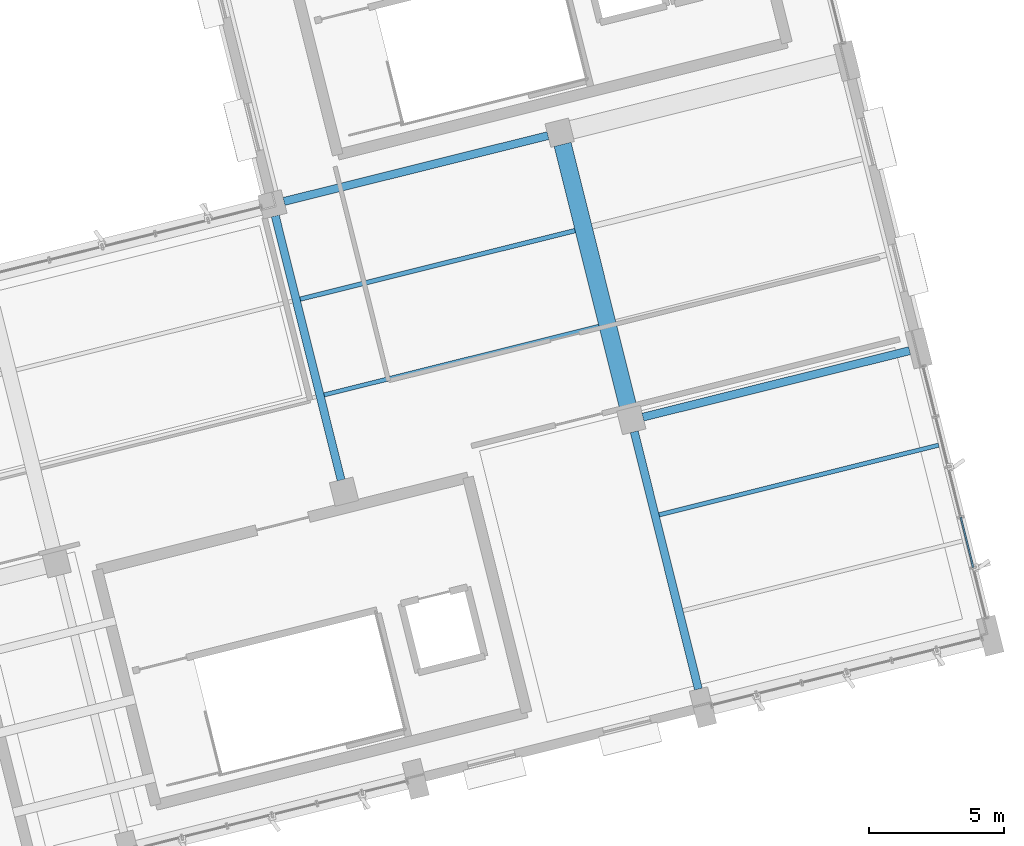
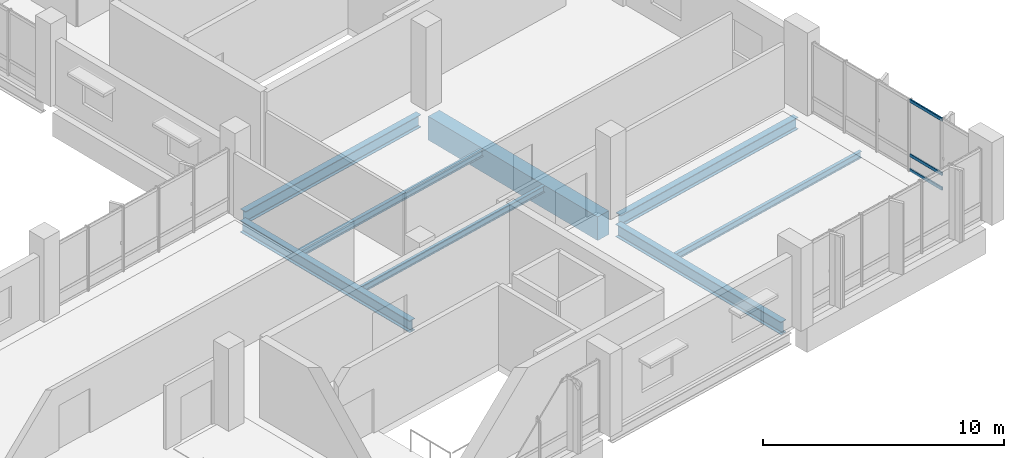
# One storey, part 11 of 22: 8 beams, 3 members, 1 element without a shape of its own.
"""IFC4 building model written with IfcOpenShell, lengths in metres."""

from ifc_helpers import new_model, si_unit, direction, frame, origin, origin_2d, place, context, subcontext, project, spatial, rectangle, hollow_rectangle, i_section, extrude, material, layer, layer_set, material_profile, profile_set, type_object, element, aggregate, save


model = new_model("IFC4")

# Units and contexts
model_context = context("Model", 3, precision=1e-05, world=origin(), true_north=direction((0.0, 1.0)))
body_context = subcontext(model_context, "Body", "Model", "MODEL_VIEW")
ifc_project = project(units=[si_unit("LENGTHUNIT", "METRE"), si_unit("AREAUNIT", "SQUARE_METRE"), si_unit("VOLUMEUNIT", "CUBIC_METRE"), si_unit("PLANEANGLEUNIT", "RADIAN"), si_unit("MASSUNIT", "GRAM", prefix="KILO")], contexts=[model_context])

# Site, building, storey
site_placement = place(None, origin())
site = spatial("IfcSite", under=ifc_project, at=site_placement, CompositionType="ELEMENT")
building_placement = place(site_placement, origin())
building = spatial("IfcBuilding", under=site, at=building_placement, Name="Khorjan Park Terminus", CompositionType="ELEMENT")
storey_placement = place(building_placement, frame((0.0, 0.0, 24.6)))
storey = spatial("IfcBuildingStorey", under=building, at=storey_placement, Name="L05", CompositionType="ELEMENT", Elevation=24.6)

# Beams
ifc_material_1 = material(Name="Steel S355", Category="steel")
ifc_material_profile_1 = material_profile(ifc_material_1, i_section(OverallWidth=0.3, OverallDepth=0.64, WebThickness=0.0135, FlangeThickness=0.026, FilletRadius=0.027, at=origin_2d()), Name="HEA 650")
ifc_profile_set_1 = profile_set([ifc_material_profile_1], Name="Steel S355")
beam_type_1 = type_object("IfcBeamType", Name="BM-HEA650", PredefinedType="BEAM", material=ifc_profile_set_1)
beam_1_placement = place(storey_placement, frame((203.8025, 34.0987, -0.65), z_axis=(0.970294168541, 0.241928143249, 0.0), x_axis=(-0.241928143249, 0.970294168541, 0.0)))
element("IfcBeam", 1, at=beam_1_placement, inside=storey, type_object=beam_type_1, Name="Primary skew-grid floor girder SB-A65 (L05)", PredefinedType="BEAM", context=body_context, shape_type="SweptSolid", body=[
    extrude(i_section(OverallWidth=0.3, OverallDepth=0.64, WebThickness=0.0135, FlangeThickness=0.026, FilletRadius=0.027, at=origin_2d()), origin(), (0.0, 0.0, 1.0), 10.11),
])
beam_2_placement = place(storey_placement, frame((219.1981, 15.9801, -0.65), z_axis=(-0.241917509425, 0.970296819862, 0.0), x_axis=(-0.970296819862, -0.241917509425, 0.0)))
element("IfcBeam", 2, at=beam_2_placement, inside=storey, type_object=beam_type_1, Name="Primary skew-grid floor girder SB-A65 (L05)", PredefinedType="BEAM", context=body_context, shape_type="SweptSolid", body=[
    extrude(i_section(OverallWidth=0.3, OverallDepth=0.64, WebThickness=0.0135, FlangeThickness=0.026, FilletRadius=0.027, at=origin_2d()), origin(), (0.0, 0.0, 1.0), 9.86),
])
ifc_material_profile_2 = material_profile(ifc_material_1, i_section(OverallWidth=0.3, OverallDepth=0.6, WebThickness=0.0155, FlangeThickness=0.03, FilletRadius=0.027, at=origin_2d()), Name="HEB 600")
ifc_profile_set_2 = profile_set([ifc_material_profile_2], Name="Steel S355")
beam_type_2 = type_object("IfcBeamType", Name="BM-HEB600", PredefinedType="BEAM", material=ifc_profile_set_2)
beam_3_placement = place(storey_placement, frame((217.1369, 26.0866, -0.63), z_axis=(0.970296133805, 0.241920261086, 0.0), x_axis=(-0.241920261086, 0.970296133805, 0.0)))
element("IfcBeam", 3, at=beam_3_placement, inside=storey, type_object=beam_type_2, Name="Primary skew-grid floor girder SB-B60 (L05)", PredefinedType="BEAM", context=body_context, shape_type="SweptSolid", body=[
    extrude(i_section(OverallWidth=0.3, OverallDepth=0.6, WebThickness=0.0155, FlangeThickness=0.03, FilletRadius=0.027, at=origin_2d()), origin(), (0.0, 0.0, 1.0), 10.21),
])
beam_4_placement = place(storey_placement, frame((205.9242, 23.7496, -0.63), z_axis=(-0.241918830968, 0.970296490369, 0.0), x_axis=(-0.970296490369, -0.241918830968, 0.0)))
element("IfcBeam", 4, at=beam_4_placement, inside=storey, type_object=beam_type_2, Name="Primary skew-grid floor girder SB-B60 (L05)", PredefinedType="BEAM", context=body_context, shape_type="SweptSolid", body=[
    extrude(i_section(OverallWidth=0.3, OverallDepth=0.6, WebThickness=0.0155, FlangeThickness=0.03, FilletRadius=0.027, at=origin_2d()), origin(), (0.0, 0.0, 1.0), 10.11),
])
ifc_material_2 = material(Name="Concrete C40/50", Category="concrete")
ifc_material_profile_3 = material_profile(ifc_material_2, rectangle(XDim=0.65, YDim=1.2, at=origin_2d()), Name="RC 650x1200")
ifc_profile_set_3 = profile_set([ifc_material_profile_3], Name="Concrete C40/50")
beam_type_3 = type_object("IfcBeamType", Name="BM-RC650x1200", PredefinedType="BEAM", material=ifc_profile_set_3)
beam_5_placement = place(storey_placement, frame((216.5975, 26.4107, -0.93), z_axis=(-0.241928143249, 0.970294168541, 0.0), x_axis=(-0.970294168541, -0.241928143249, 0.0)))
element("IfcBeam", 5, at=beam_5_placement, inside=storey, type_object=beam_type_3, Name="Primary skew-grid floor girder GB-12 (L05)", PredefinedType="BEAM", context=body_context, shape_type="SweptSolid", body=[
    extrude(rectangle(XDim=0.65, YDim=1.2, at=origin_2d()), origin(), (0.0, 0.0, 1.0), 10.11),
])
ifc_material_profile_4 = material_profile(ifc_material_1, i_section(OverallWidth=0.16, OverallDepth=0.33, WebThickness=0.0075, FlangeThickness=0.0115, FilletRadius=0.018, at=origin_2d()), Name="IPE 330")
ifc_profile_set_4 = profile_set([ifc_material_profile_4], Name="Steel S355")
beam_type_4 = type_object("IfcBeamType", Name="JS-IPE330", PredefinedType="JOIST", material=ifc_profile_set_4)
beam_6_placement = place(storey_placement, frame((205.2904, 26.9119, -0.495), z_axis=(0.970296002015, 0.241920789668, 0.0), x_axis=(-0.241920789668, 0.970296002015, 0.0)))
element("IfcBeam", 6, at=beam_6_placement, inside=storey, type_object=beam_type_4, Name="Secondary composite floor joist SJ-33 (L05)", PredefinedType="JOIST", context=body_context, shape_type="SweptSolid", body=[
    extrude(i_section(OverallWidth=0.16, OverallDepth=0.33, WebThickness=0.0075, FlangeThickness=0.0115, FilletRadius=0.018, at=origin_2d()), origin(), (0.0, 0.0, 1.0), 10.5249),
])
beam_7_placement = place(storey_placement, frame((217.7377, 22.4575, -0.495), z_axis=(0.970297331913, 0.241915455651, 0.0), x_axis=(-0.241915455651, 0.970297331913, 0.0)))
element("IfcBeam", 7, at=beam_7_placement, inside=storey, type_object=beam_type_4, Name="Secondary composite floor joist SJ-33 (L05)", PredefinedType="JOIST", context=body_context, shape_type="SweptSolid", body=[
    extrude(i_section(OverallWidth=0.16, OverallDepth=0.33, WebThickness=0.0075, FlangeThickness=0.0115, FilletRadius=0.018, at=origin_2d()), origin(), (0.0, 0.0, 1.0), 10.7),
])
ifc_material_profile_5 = material_profile(ifc_material_1, i_section(OverallWidth=0.17, OverallDepth=0.36, WebThickness=0.008, FlangeThickness=0.0127, FilletRadius=0.018, at=origin_2d()), Name="IPE 360")
ifc_profile_set_5 = profile_set([ifc_material_profile_5], Name="Steel S355")
beam_type_5 = type_object("IfcBeamType", Name="JS-IPE360", PredefinedType="JOIST", material=ifc_profile_set_5)
beam_8_placement = place(storey_placement, frame((204.4033, 30.4696, -0.51), z_axis=(0.970296558074, 0.241918559415, 0.0), x_axis=(-0.241918559415, 0.970296558074, 0.0)))
element("IfcBeam", 8, at=beam_8_placement, inside=storey, type_object=beam_type_5, Name="Secondary composite floor joist SJ-36 (L05)", PredefinedType="JOIST", context=body_context, shape_type="SweptSolid", body=[
    extrude(i_section(OverallWidth=0.17, OverallDepth=0.36, WebThickness=0.008, FlangeThickness=0.0127, FilletRadius=0.018, at=origin_2d()), origin(), (0.0, 0.0, 1.0), 10.525),
])

# Curtain wall, members
ifc_material_3 = material(Name="Anodized Bronze Aluminium", Category="aluminium")
ifc_layer = layer(ifc_material_3, 0.22)
ifc_layer_set = layer_set([ifc_layer], Name="Anodized Bronze Aluminium")
curtain_wall_type = type_object("IfcCurtainWallType", Name="CW-OPS-B", PredefinedType="NOTDEFINED", material=ifc_layer_set)
curtain_wall_placement = place(storey_placement, origin())
curtain_wall = element("IfcCurtainWall", 9, at=curtain_wall_placement, inside=storey, type_object=curtain_wall_type, Name="Unitized curtain wall CW-B (CW-V5-E-L05-B01)", PredefinedType="NOTDEFINED")
ifc_material_profile_6 = material_profile(ifc_material_3, hollow_rectangle(XDim=0.07, YDim=0.16, WallThickness=0.004, InnerFilletRadius=0.004, OuterFilletRadius=0.008, at=origin_2d()), Name="ALT 70x160x4")
ifc_profile_set_6 = profile_set([ifc_material_profile_6], Name="Anodized Bronze Aluminium")
member_type = type_object("IfcMemberType", Name="TR-ALT-160", PredefinedType="USERDEFINED", material=ifc_profile_set_6)
member_1_placement = place(storey_placement, frame((229.4086, 20.4974, 0.04), z_axis=(-0.241913157049, 0.970297905, 0.0), x_axis=(-0.970297905, -0.241913157049, 0.0)))
member_1 = element("IfcMember", 10, at=member_1_placement, type_object=member_type, Name="Curtain-wall transom TR-16 (CW-V5-E-L05-B01-1-1)", ObjectType="TRANSOM", PredefinedType="USERDEFINED", context=body_context, shape_type="SweptSolid", body=[
    extrude(hollow_rectangle(XDim=0.07, YDim=0.16, WallThickness=0.004, InnerFilletRadius=0.004, OuterFilletRadius=0.008, at=origin_2d()), origin(), (0.0, 0.0, 1.0), 1.928),
])
member_2_placement = place(storey_placement, frame((229.4086, 20.4974, 0.786), z_axis=(-0.241913157049, 0.970297905, 0.0), x_axis=(-0.970297905, -0.241913157049, 0.0)))
member_2 = element("IfcMember", 11, at=member_2_placement, type_object=member_type, Name="Curtain-wall transom TR-16 (CW-V5-E-L05-B01-1-2)", ObjectType="TRANSOM", PredefinedType="USERDEFINED", context=body_context, shape_type="SweptSolid", body=[
    extrude(hollow_rectangle(XDim=0.07, YDim=0.16, WallThickness=0.004, InnerFilletRadius=0.004, OuterFilletRadius=0.008, at=origin_2d()), origin(), (0.0, 0.0, 1.0), 1.928),
])
member_3_placement = place(storey_placement, frame((229.4086, 20.4974, 3.535), z_axis=(-0.241913157049, 0.970297905, 0.0), x_axis=(-0.970297905, -0.241913157049, 0.0)))
member_3 = element("IfcMember", 12, at=member_3_placement, type_object=member_type, Name="Curtain-wall transom TR-16 (CW-V5-E-L05-B01-1-3)", ObjectType="TRANSOM", PredefinedType="USERDEFINED", context=body_context, shape_type="SweptSolid", body=[
    extrude(hollow_rectangle(XDim=0.07, YDim=0.16, WallThickness=0.004, InnerFilletRadius=0.004, OuterFilletRadius=0.008, at=origin_2d()), origin(), (0.0, 0.0, 1.0), 1.928),
])
aggregate(curtain_wall, [member_1, member_2, member_3])

save(model, "model.ifc")
